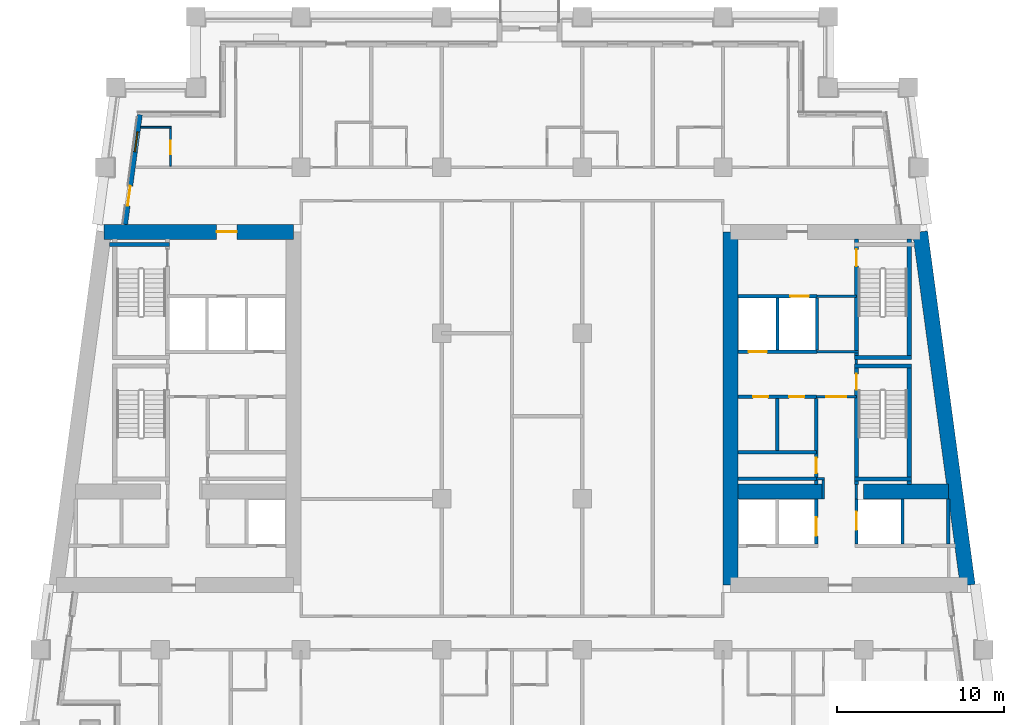
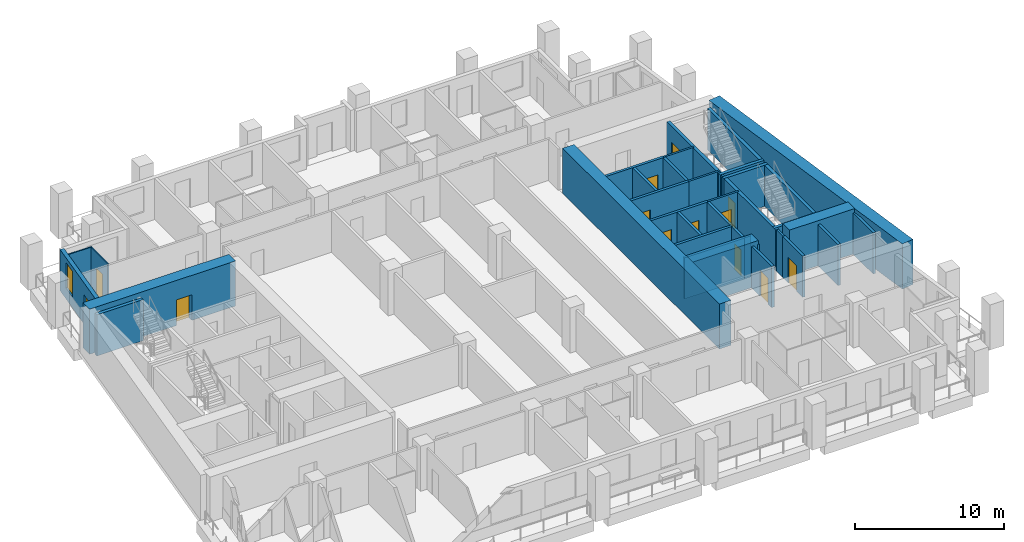
# One storey, part 5 of 13: 36 walls, 13 doors, 1 window, 14 openings.
"""IFC4 building model written with IfcOpenShell, lengths in metres."""

from ifc_helpers import new_model, si_unit, direction, frame, frame_2d, origin, place, context, subcontext, project, spatial, rectangle, extrude, material, layer, layer_set, type_object, element, fill, save


model = new_model("IFC4")

# Units and contexts
model_context = context("Model", 3, precision=1e-05, world=origin(), true_north=direction((0.0, 1.0)))
body_context = subcontext(model_context, "Body", "Model", "MODEL_VIEW")
ifc_project = project(units=[si_unit("LENGTHUNIT", "METRE"), si_unit("AREAUNIT", "SQUARE_METRE"), si_unit("VOLUMEUNIT", "CUBIC_METRE"), si_unit("PLANEANGLEUNIT", "RADIAN"), si_unit("MASSUNIT", "GRAM", prefix="KILO")], contexts=[model_context])

# Site, building, storey
site_placement = place(None, origin())
site = spatial("IfcSite", under=ifc_project, at=site_placement, CompositionType="ELEMENT")
building_placement = place(site_placement, origin())
building = spatial("IfcBuilding", under=site, at=building_placement, Name="Candeia Pilgrim Tower and Theatre", CompositionType="ELEMENT")
storey_placement = place(building_placement, frame((0.0, 0.0, 158.89990234375)))
storey = spatial("IfcBuildingStorey", under=building, at=storey_placement, Name="L37", CompositionType="ELEMENT", Elevation=158.89990234375)

# Wall, opening, door
ifc_material_1 = material(Name="Concrete C60/75", Category="concrete")
ifc_layer_1 = layer(ifc_material_1, 0.89990234375)
ifc_layer_set_1 = layer_set([ifc_layer_1], Name="Core wall 900 C60/75")
wall_type_1 = type_object("IfcWallType", Name="Core wall 900 C60/75", PredefinedType="SHEAR", material=ifc_layer_set_1)
wall_1_placement = place(storey_placement, frame((89.024169921875, 131.949951171875, 0.0), z_axis=(0.0, 0.0, 1.0), x_axis=(1.0, 0.0, 0.0)))
wall_1 = element("IfcWall", 1, at=wall_1_placement, inside=storey, type_object=wall_type_1, Name="Core wall W1", PredefinedType="SHEAR", context=body_context, shape_type="SweptSolid", body=[
    extrude(rectangle(XDim=11.325927734375, YDim=0.89990234375, at=frame_2d((5.6630859375, 0.0))), origin(), (0.0, 0.0, 1.0), 3.7001953125),
])
opening_1_placement = place(wall_1_placement, frame((6.7392578125, 0.0, 0.0)))
opening_1 = element("IfcOpeningElement", 2, at=opening_1_placement, cuts=wall_1, Name="Opening L37-D059", PredefinedType="OPENING", context=body_context, shape_type="SweptSolid", body=[
    extrude(rectangle(XDim=1.199951171875, YDim=2.10009765625, at=frame_2d((0.60009765625, 1.050048828125))), frame((0.0, 0.4599609375, 0.0), z_axis=(0.0, -1.0, 0.0), x_axis=(1.0, 0.0, 0.0)), (0.0, 0.0, 1.0), 0.919921875),
])
ifc_material_2 = material(Name="Steel fire door set", Category="steel")
door_type_1 = type_object("IfcDoorType", Name="D-1200-FD60", OperationType="NOTDEFINED", PredefinedType="DOOR", material=ifc_material_2)
door_1_placement = place(opening_1_placement, origin())
door_1 = element("IfcDoor", 3, at=door_1_placement, inside=storey, type_object=door_type_1, Name="Door L37-D059", OperationType="SINGLE_SWING_RIGHT", OverallHeight=2.10009765625, OverallWidth=1.199951171875, PredefinedType="DOOR", context=body_context, shape_type="SweptSolid", body=[
    extrude(rectangle(XDim=1.199951171875, YDim=2.10009765625, at=frame_2d((0.60009765625, 1.050048828125))), frame((0.0, 0.02490234375, 0.0), z_axis=(0.0, -1.0, 0.0), x_axis=(1.0, 0.0, 0.0)), (0.0, 0.0, 1.0), 0.050048828125),
])
fill(opening_1, door_1)

# Walls
wall_2_placement = place(storey_placement, frame((137.775634765625, 131.949951171875, 0.0), z_axis=(0.0, 0.0, 1.0), x_axis=(0.133421759112, -0.991059349482, 0.0)))
element("IfcWall", 4, at=wall_2_placement, inside=storey, type_object=wall_type_1, Name="Core wall E2", PredefinedType="SHEAR", context=body_context, shape_type="SweptSolid", body=[
    extrude(rectangle(XDim=21.290283203125, YDim=0.89990234375, at=frame_2d((10.64501953125, 0.0))), origin(), (0.0, 0.0, 1.0), 3.7001953125),
])
wall_3_placement = place(storey_placement, frame((126.449951171875, 110.85009765625, 0.0), z_axis=(0.0, 0.0, 1.0), x_axis=(0.0, 1.0, 0.0)))
element("IfcWall", 5, at=wall_3_placement, inside=storey, type_object=wall_type_1, Name="Core wall E4", PredefinedType="SHEAR", context=body_context, shape_type="SweptSolid", body=[
    extrude(rectangle(XDim=21.099853515625, YDim=0.89990234375, at=frame_2d((10.5498046875, 0.0))), origin(), (0.0, 0.0, 1.0), 3.7001953125),
])
wall_4_placement = place(storey_placement, frame((126.89990234375, 116.449951171875, 0.0), z_axis=(0.0, 0.0, 1.0), x_axis=(1.0, 0.0, 0.0)))
element("IfcWall", 6, at=wall_4_placement, inside=storey, type_object=wall_type_1, Name="Core wall E5", PredefinedType="SHEAR", context=body_context, shape_type="SweptSolid", body=[
    extrude(rectangle(XDim=5.10009765625, YDim=0.89990234375, at=frame_2d((2.550048828125, 0.0))), origin(), (0.0, 0.0, 1.0), 3.7001953125),
])
wall_5_placement = place(storey_placement, frame((134.39990234375, 116.449951171875, 0.0), z_axis=(0.0, 0.0, 1.0), x_axis=(1.0, 0.0, 0.0)))
element("IfcWall", 7, at=wall_5_placement, inside=storey, type_object=wall_type_1, Name="Core wall E6", PredefinedType="SHEAR", context=body_context, shape_type="SweptSolid", body=[
    extrude(rectangle(XDim=5.076904296875, YDim=0.89990234375, at=frame_2d((2.53857421875, 0.0))), origin(), (0.0, 0.0, 1.0), 3.7001953125),
])

# Wall, openings, door, window
ifc_material_3 = material(Name="Ceramic block masonry", Category="masonry")
ifc_layer_2 = layer(ifc_material_3, 0.300048828125)
ifc_layer_set_2 = layer_set([ifc_layer_2], Name="EW1 glazing-line wall 300")
wall_type_2 = type_object("IfcWallType", Name="EW1 glazing-line wall 300", PredefinedType="SOLIDWALL", material=ifc_layer_set_2)
wall_6_placement = place(storey_placement, frame((91.177490234375, 138.949951171875, 0.0), z_axis=(0.0, 0.0, 1.0), x_axis=(-0.133426664613, -0.991058689065, 0.0)))
wall_6 = element("IfcWall", 8, at=wall_6_placement, inside=storey, type_object=wall_type_2, Name="External wall L37-9.0", PredefinedType="SOLIDWALL", context=body_context, shape_type="SweptSolid", body=[
    extrude(rectangle(XDim=6.609130859375, YDim=0.300048828125, at=frame_2d((3.3046875, 0.0))), origin(), (0.0, 0.0, 1.0), 3.380126953125),
])
opening_2_placement = place(wall_6_placement, frame((1.039306640625, 0.0, 0.89990234375)))
opening_2 = element("IfcOpeningElement", 9, at=opening_2_placement, cuts=wall_6, Name="Opening W-B", PredefinedType="OPENING", context=body_context, shape_type="SweptSolid", body=[
    extrude(rectangle(XDim=1.199951171875, YDim=2.10009765625, at=frame_2d((0.60009765625, 1.050048828125))), frame((0.0, 0.16015625, 0.0), z_axis=(0.0, -1.0, 0.0), x_axis=(1.0, 0.0, 0.0)), (0.0, 0.0, 1.0), 0.320068359375),
])
opening_3_placement = place(wall_6_placement, frame((4.293701171875, 0.0, 0.0)))
opening_3 = element("IfcOpeningElement", 10, at=opening_3_placement, cuts=wall_6, Name="Opening L37-ED361", PredefinedType="OPENING", context=body_context, shape_type="SweptSolid", body=[
    extrude(rectangle(XDim=1.199951171875, YDim=2.39990234375, at=frame_2d((0.60009765625, 1.199951171875))), frame((0.0, 0.16015625, 0.0), z_axis=(0.0, -1.0, 0.0), x_axis=(1.0, 0.0, 0.0)), (0.0, 0.0, 1.0), 0.320068359375),
])
ifc_material_4 = material(Name="Aluminium framed glazed door", Category="aluminium")
door_type_2 = type_object("IfcDoorType", Name="Loggia door 1200x2400", OperationType="DOUBLE_DOOR_SINGLE_SWING", PredefinedType="DOOR", material=ifc_material_4)
door_2_placement = place(opening_3_placement, origin())
door_2 = element("IfcDoor", 11, at=door_2_placement, inside=storey, type_object=door_type_2, Name="Loggia door L37-ED361", OperationType="DOUBLE_DOOR_SINGLE_SWING", OverallHeight=2.39990234375, OverallWidth=1.199951171875, PredefinedType="DOOR", context=body_context, shape_type="SweptSolid", body=[
    extrude(rectangle(XDim=1.199951171875, YDim=2.39990234375, at=frame_2d((0.60009765625, 1.199951171875))), frame((0.0, 0.02490234375, 0.0), z_axis=(0.0, -1.0, 0.0), x_axis=(1.0, 0.0, 0.0)), (0.0, 0.0, 1.0), 0.050048828125),
])
fill(opening_3, door_2)
ifc_material_5 = material(Name="Aluminium framed double glazing", Category="aluminium")
window_type = type_object("IfcWindowType", Name="W-B window 1200x2100", PartitioningType="SINGLE_PANEL", PredefinedType="WINDOW", material=ifc_material_5)
window_placement = place(opening_2_placement, origin())
window = element("IfcWindow", 12, at=window_placement, inside=storey, type_object=window_type, Name="Window W-B L37", OverallHeight=2.10009765625, OverallWidth=1.199951171875, PartitioningType="SINGLE_PANEL", PredefinedType="WINDOW", context=body_context, shape_type="SweptSolid", body=[
    extrude(rectangle(XDim=1.199951171875, YDim=2.10009765625, at=frame_2d((0.60009765625, 1.050048828125))), frame((0.0, 0.030029296875, 0.0), z_axis=(0.0, -1.0, 0.0), x_axis=(1.0, 0.0, 0.0)), (0.0, 0.0, 1.0), 0.06005859375),
])
fill(opening_2, window)

# Wall
ifc_material_6 = material(Name="Gypsum board partition on steel studs", Category="steel")
ifc_layer_3 = layer(ifc_material_6, 0.10009765625)
ifc_layer_set_3 = layer_set([ifc_layer_3], Name="PW-100 room partition")
wall_type_3 = type_object("IfcWallType", Name="PW-100 room partition", PredefinedType="PARTITIONING", material=ifc_layer_set_3)
wall_7_placement = place(storey_placement, frame((91.2177734375, 138.199951171875, 0.0), z_axis=(0.0, 0.0, 1.0), x_axis=(1.0, 0.0, 0.0)))
element("IfcWall", 13, at=wall_7_placement, inside=storey, type_object=wall_type_3, Name="Room partition L37-043", PredefinedType="PARTITIONING", context=body_context, shape_type="SweptSolid", body=[
    extrude(rectangle(XDim=1.832275390625, YDim=0.10009765625, at=frame_2d((0.916015625, 0.0))), origin(), (0.0, 0.0, 1.0), 3.380126953125),
])

# Wall, opening, door
wall_8_placement = place(storey_placement, frame((93.0, 135.875, 0.0), z_axis=(0.0, 0.0, 1.0), x_axis=(0.0, 1.0, 0.0)))
wall_8 = element("IfcWall", 14, at=wall_8_placement, inside=storey, type_object=wall_type_3, Name="Room partition L37-061", PredefinedType="PARTITIONING", context=body_context, shape_type="SweptSolid", body=[
    extrude(rectangle(XDim=2.27490234375, YDim=0.10009765625, at=frame_2d((1.137451171875, 0.0))), origin(), (0.0, 0.0, 1.0), 3.380126953125),
])
opening_4_placement = place(wall_8_placement, frame((0.72509765625, 0.0, 0.0)))
opening_4 = element("IfcOpeningElement", 15, at=opening_4_placement, cuts=wall_8, Name="Opening L37-D036", PredefinedType="OPENING", context=body_context, shape_type="SweptSolid", body=[
    extrude(rectangle(XDim=0.800048828125, YDim=2.10009765625, at=frame_2d((0.39990234375, 1.050048828125))), frame((0.0, 0.06005859375, 0.0), z_axis=(0.0, -1.0, 0.0), x_axis=(1.0, 0.0, 0.0)), (0.0, 0.0, 1.0), 0.1201171875),
])
ifc_material_7 = material(Name="Timber door leaf", Category="wood")
door_type_3 = type_object("IfcDoorType", Name="D-800", OperationType="NOTDEFINED", PredefinedType="DOOR", material=ifc_material_7)
door_3_placement = place(opening_4_placement, origin())
door_3 = element("IfcDoor", 16, at=door_3_placement, inside=storey, type_object=door_type_3, Name="Door L37-D036", OperationType="SINGLE_SWING_LEFT", OverallHeight=2.10009765625, OverallWidth=0.800048828125, PredefinedType="DOOR", context=body_context, shape_type="SweptSolid", body=[
    extrude(rectangle(XDim=0.800048828125, YDim=2.10009765625, at=frame_2d((0.39990234375, 1.050048828125))), frame((0.0, 0.02490234375, 0.0), z_axis=(0.0, -1.0, 0.0), x_axis=(1.0, 0.0, 0.0)), (0.0, 0.0, 1.0), 0.050048828125),
])
fill(opening_4, door_3)

# Wall
ifc_layer_4 = layer(ifc_material_6, 0.14990234375)
ifc_layer_set_4 = layer_set([ifc_layer_4], Name="PW-150 lobby wall")
wall_type_4 = type_object("IfcWallType", Name="PW-150 lobby wall", PredefinedType="PARTITIONING", material=ifc_layer_set_4)
wall_9_placement = place(storey_placement, frame((131.572998046875, 117.199951171875, 0.0), z_axis=(0.0, 0.0, 1.0), x_axis=(1.0, 0.0, 0.0)))
element("IfcWall", 17, at=wall_9_placement, inside=storey, type_object=wall_type_4, Name="Lobby wall L37-017", PredefinedType="PARTITIONING", context=body_context, shape_type="SweptSolid", body=[
    extrude(rectangle(XDim=0.501953125, YDim=0.14990234375, at=frame_2d((0.2509765625, 0.0))), origin(), (0.0, 0.0, 1.0), 3.380126953125),
])

# Wall, opening, door
wall_10_placement = place(storey_placement, frame((131.572998046875, 122.10009765625, 0.0), z_axis=(0.0, 0.0, 1.0), x_axis=(1.0, 0.0, 0.0)))
wall_10 = element("IfcWall", 18, at=wall_10_placement, inside=storey, type_object=wall_type_4, Name="Lobby wall L37-026", PredefinedType="PARTITIONING", context=body_context, shape_type="SweptSolid", body=[
    extrude(rectangle(XDim=2.39990234375, YDim=0.14990234375, at=frame_2d((1.199951171875, 0.0))), origin(), (0.0, 0.0, 1.0), 3.380126953125),
])
opening_5_placement = place(wall_10_placement, frame((0.60009765625, 0.0, 0.0)))
opening_5 = element("IfcOpeningElement", 19, at=opening_5_placement, cuts=wall_10, Name="Opening L37-D010", PredefinedType="OPENING", context=body_context, shape_type="SweptSolid", body=[
    extrude(rectangle(XDim=1.199951171875, YDim=2.10009765625, at=frame_2d((0.60009765625, 1.050048828125))), frame((0.0, 0.0849609375, 0.0), z_axis=(0.0, -1.0, 0.0), x_axis=(1.0, 0.0, 0.0)), (0.0, 0.0, 1.0), 0.169921875),
])
door_4_placement = place(opening_5_placement, origin())
door_4 = element("IfcDoor", 20, at=door_4_placement, inside=storey, type_object=door_type_1, Name="Door L37-D010", OperationType="SINGLE_SWING_RIGHT", OverallHeight=2.10009765625, OverallWidth=1.199951171875, PredefinedType="DOOR", context=body_context, shape_type="SweptSolid", body=[
    extrude(rectangle(XDim=1.199951171875, YDim=2.10009765625, at=frame_2d((0.60009765625, 1.050048828125))), frame((0.0, 0.02490234375, 0.0), z_axis=(0.0, -1.0, 0.0), x_axis=(1.0, 0.0, 0.0)), (0.0, 0.0, 1.0), 0.050048828125),
])
fill(opening_5, door_4)

# Walls
wall_11_placement = place(storey_placement, frame((131.615234375, 124.800048828125, 0.0), z_axis=(0.0, 0.0, 1.0), x_axis=(1.0, 0.0, 0.0)))
element("IfcWall", 21, at=wall_11_placement, inside=storey, type_object=wall_type_4, Name="Lobby wall L37-033", PredefinedType="PARTITIONING", context=body_context, shape_type="SweptSolid", body=[
    extrude(rectangle(XDim=2.482666015625, YDim=0.14990234375, at=frame_2d((1.2412109375, 0.0))), origin(), (0.0, 0.0, 1.0), 3.380126953125),
])
wall_12_placement = place(storey_placement, frame((131.615234375, 128.10009765625, 0.0), z_axis=(0.0, 0.0, 1.0), x_axis=(1.0, 0.0, 0.0)))
element("IfcWall", 22, at=wall_12_placement, inside=storey, type_object=wall_type_4, Name="Lobby wall L37-037", PredefinedType="PARTITIONING", context=body_context, shape_type="SweptSolid", body=[
    extrude(rectangle(XDim=2.357666015625, YDim=0.14990234375, at=frame_2d((1.1787109375, 0.0))), origin(), (0.0, 0.0, 1.0), 3.380126953125),
])
wall_13_placement = place(storey_placement, frame((132.0, 116.0, 0.0), z_axis=(0.0, 0.0, 1.0), x_axis=(0.0, 1.0, 0.0)))
element("IfcWall", 23, at=wall_13_placement, inside=storey, type_object=wall_type_4, Name="Lobby wall L37-108", PredefinedType="PARTITIONING", context=body_context, shape_type="SweptSolid", body=[
    extrude(rectangle(XDim=1.125, YDim=0.14990234375, at=frame_2d((0.5625, 0.0))), origin(), (0.0, 0.0, 1.0), 3.380126953125),
])
wall_14_placement = place(storey_placement, frame((133.972900390625, 116.0, 0.0), z_axis=(0.0, 0.0, 1.0), x_axis=(0.0, 1.0, 0.0)))
element("IfcWall", 24, at=wall_14_placement, inside=storey, type_object=wall_type_4, Name="Lobby wall L37-111", PredefinedType="PARTITIONING", context=body_context, shape_type="SweptSolid", body=[
    extrude(rectangle(XDim=0.8701171875, YDim=0.14990234375, at=frame_2d((0.43505859375, 0.0))), origin(), (0.0, 0.0, 1.0), 3.380126953125),
])
wall_15_placement = place(storey_placement, frame((133.972900390625, 124.074951171875, 0.0), z_axis=(0.0, 0.0, 1.0), x_axis=(0.0, 1.0, 0.0)))
element("IfcWall", 25, at=wall_15_placement, inside=storey, type_object=wall_type_4, Name="Lobby wall L37-112", PredefinedType="PARTITIONING", context=body_context, shape_type="SweptSolid", body=[
    extrude(rectangle(XDim=0.25, YDim=0.14990234375, at=frame_2d((0.125, 0.0))), origin(), (0.0, 0.0, 1.0), 3.380126953125),
])
ifc_material_8 = material(Name="Concrete C40/50", Category="concrete")
ifc_layer_5 = layer(ifc_material_8, 0.199951171875)
ifc_layer_set_5 = layer_set([ifc_layer_5], Name="SW-200 shaft wall")
wall_type_5 = type_object("IfcWallType", Name="SW-200 shaft wall", PredefinedType="PARTITIONING", material=ifc_layer_set_5)
for number, where, z_axis, x_axis, name in (
    (26, (126.89990234375, 117.199951171875, 0.0), (0.0, 0.0, 1.0), (1.0, 0.0, 0.0), "Shaft wall L37-015"),
    (27, (126.89990234375, 118.800048828125, 0.0), (0.0, 0.0, 1.0), (1.0, 0.0, 0.0), "Shaft wall L37-021"),
):
    element("IfcWall", number, at=place(storey_placement, frame(where, z_axis=z_axis, x_axis=x_axis)), inside=storey, type_object=wall_type_5, Name=name, PredefinedType="PARTITIONING", context=body_context, shape_type="SweptSolid", body=[
        extrude(rectangle(XDim=4.673095703125, YDim=0.199951171875, at=frame_2d((2.33642578125, 0.0))), origin(), (0.0, 0.0, 1.0), 3.380126953125),
    ])

# Wall, openings, doors
wall_16_placement = place(storey_placement, frame((126.89990234375, 122.10009765625, 0.0), z_axis=(0.0, 0.0, 1.0), x_axis=(1.0, 0.0, 0.0)))
wall_16 = element("IfcWall", 28, at=wall_16_placement, inside=storey, type_object=wall_type_5, Name="Shaft wall L37-024", PredefinedType="PARTITIONING", context=body_context, shape_type="SweptSolid", body=[
    extrude(rectangle(XDim=4.673095703125, YDim=0.199951171875, at=frame_2d((2.33642578125, 0.0))), origin(), (0.0, 0.0, 1.0), 3.380126953125),
])
opening_6_placement = place(wall_16_placement, frame((3.054931640625, 0.0, 0.0)))
opening_6 = element("IfcOpeningElement", 29, at=opening_6_placement, cuts=wall_16, Name="Opening L37-D011", PredefinedType="OPENING", context=body_context, shape_type="SweptSolid", body=[
    extrude(rectangle(XDim=0.89990234375, YDim=2.10009765625, at=frame_2d((0.449951171875, 1.050048828125))), frame((0.0, 0.10986328125, 0.0), z_axis=(0.0, -1.0, 0.0), x_axis=(1.0, 0.0, 0.0)), (0.0, 0.0, 1.0), 0.219970703125),
])
opening_7_placement = place(wall_16_placement, frame((0.902099609375, 0.0, 0.0)))
opening_7 = element("IfcOpeningElement", 30, at=opening_7_placement, cuts=wall_16, Name="Opening L37-D012", PredefinedType="OPENING", context=body_context, shape_type="SweptSolid", body=[
    extrude(rectangle(XDim=0.89990234375, YDim=2.10009765625, at=frame_2d((0.449951171875, 1.050048828125))), frame((0.0, 0.10986328125, 0.0), z_axis=(0.0, -1.0, 0.0), x_axis=(1.0, 0.0, 0.0)), (0.0, 0.0, 1.0), 0.219970703125),
])
door_type_4 = type_object("IfcDoorType", Name="D-900-FD60", OperationType="NOTDEFINED", PredefinedType="DOOR", material=ifc_material_2)
door_5_placement = place(opening_6_placement, origin())
door_5 = element("IfcDoor", 31, at=door_5_placement, inside=storey, type_object=door_type_4, Name="Door L37-D011", OperationType="SINGLE_SWING_LEFT", OverallHeight=2.10009765625, OverallWidth=0.89990234375, PredefinedType="DOOR", context=body_context, shape_type="SweptSolid", body=[
    extrude(rectangle(XDim=0.89990234375, YDim=2.10009765625, at=frame_2d((0.449951171875, 1.050048828125))), frame((0.0, 0.02490234375, 0.0), z_axis=(0.0, -1.0, 0.0), x_axis=(1.0, 0.0, 0.0)), (0.0, 0.0, 1.0), 0.050048828125),
])
fill(opening_6, door_5)
door_6_placement = place(opening_7_placement, origin())
door_6 = element("IfcDoor", 32, at=door_6_placement, inside=storey, type_object=door_type_4, Name="Door L37-D012", OperationType="SINGLE_SWING_RIGHT", OverallHeight=2.10009765625, OverallWidth=0.89990234375, PredefinedType="DOOR", context=body_context, shape_type="SweptSolid", body=[
    extrude(rectangle(XDim=0.89990234375, YDim=2.10009765625, at=frame_2d((0.449951171875, 1.050048828125))), frame((0.0, 0.02490234375, 0.0), z_axis=(0.0, -1.0, 0.0), x_axis=(1.0, 0.0, 0.0)), (0.0, 0.0, 1.0), 0.050048828125),
])
fill(opening_7, door_6)

# Wall, opening, door
wall_17_placement = place(storey_placement, frame((126.89990234375, 124.800048828125, 0.0), z_axis=(0.0, 0.0, 1.0), x_axis=(1.0, 0.0, 0.0)))
wall_17 = element("IfcWall", 33, at=wall_17_placement, inside=storey, type_object=wall_type_5, Name="Shaft wall L37-032", PredefinedType="PARTITIONING", context=body_context, shape_type="SweptSolid", body=[
    extrude(rectangle(XDim=4.71533203125, YDim=0.199951171875, at=frame_2d((2.357666015625, 0.0))), origin(), (0.0, 0.0, 1.0), 3.380126953125),
])
opening_8_placement = place(wall_17_placement, frame((0.62890625, 0.0, 0.0)))
opening_8 = element("IfcOpeningElement", 34, at=opening_8_placement, cuts=wall_17, Name="Opening L37-LD05", PredefinedType="OPENING", context=body_context, shape_type="SweptSolid", body=[
    extrude(rectangle(XDim=1.10009765625, YDim=2.10009765625, at=frame_2d((0.550048828125, 1.050048828125))), frame((0.0, 0.10986328125, 0.0), z_axis=(0.0, -1.0, 0.0), x_axis=(1.0, 0.0, 0.0)), (0.0, 0.0, 1.0), 0.219970703125),
])
ifc_material_9 = material(Name="Glazed aluminium landing door", Category="aluminium")
door_type_5 = type_object("IfcDoorType", Name="LD-1100-EI120", OperationType="SLIDING_TO_LEFT", PredefinedType="DOOR", material=ifc_material_9)
door_7_placement = place(opening_8_placement, origin())
door_7 = element("IfcDoor", 35, at=door_7_placement, inside=storey, type_object=door_type_5, Name="Landing door 05 L37", OperationType="SLIDING_TO_LEFT", OverallHeight=2.10009765625, OverallWidth=1.10009765625, PredefinedType="DOOR", context=body_context, shape_type="SweptSolid", body=[
    extrude(rectangle(XDim=1.10009765625, YDim=2.10009765625, at=frame_2d((0.550048828125, 1.050048828125))), frame((0.0, 0.02490234375, 0.0), z_axis=(0.0, -1.0, 0.0), x_axis=(1.0, 0.0, 0.0)), (0.0, 0.0, 1.0), 0.050048828125),
])
fill(opening_8, door_7)

wall_18_placement = place(storey_placement, frame((126.89990234375, 128.10009765625, 0.0), z_axis=(0.0, 0.0, 1.0), x_axis=(1.0, 0.0, 0.0)))
wall_18 = element("IfcWall", 36, at=wall_18_placement, inside=storey, type_object=wall_type_5, Name="Shaft wall L37-036", PredefinedType="PARTITIONING", context=body_context, shape_type="SweptSolid", body=[
    extrude(rectangle(XDim=4.71533203125, YDim=0.199951171875, at=frame_2d((2.357666015625, 0.0))), origin(), (0.0, 0.0, 1.0), 3.380126953125),
])
opening_9_placement = place(wall_18_placement, frame((3.1259765625, 0.0, 0.0)))
opening_9 = element("IfcOpeningElement", 37, at=opening_9_placement, cuts=wall_18, Name="Opening L37-LD04", PredefinedType="OPENING", context=body_context, shape_type="SweptSolid", body=[
    extrude(rectangle(XDim=1.10009765625, YDim=2.10009765625, at=frame_2d((0.550048828125, 1.050048828125))), frame((0.0, 0.10986328125, 0.0), z_axis=(0.0, -1.0, 0.0), x_axis=(1.0, 0.0, 0.0)), (0.0, 0.0, 1.0), 0.219970703125),
])
door_8_placement = place(opening_9_placement, origin())
door_8 = element("IfcDoor", 38, at=door_8_placement, inside=storey, type_object=door_type_5, Name="Landing door 04 L37", OperationType="SLIDING_TO_LEFT", OverallHeight=2.10009765625, OverallWidth=1.10009765625, PredefinedType="DOOR", context=body_context, shape_type="SweptSolid", body=[
    extrude(rectangle(XDim=1.10009765625, YDim=2.10009765625, at=frame_2d((0.550048828125, 1.050048828125))), frame((0.0, 0.02490234375, 0.0), z_axis=(0.0, -1.0, 0.0), x_axis=(1.0, 0.0, 0.0)), (0.0, 0.0, 1.0), 0.050048828125),
])
fill(opening_9, door_8)

# Walls
for number, where, z_axis, x_axis, name in (
    (39, (129.236572265625, 118.89990234375, 0.0), (0.0, 0.0, 1.0), (0.0, 1.0, 0.0), "Shaft wall L37-100"),
    (40, (129.2578125, 124.89990234375, 0.0), (0.0, 0.0, 1.0), (0.0, 1.0, 0.0), "Shaft wall L37-101"),
):
    element("IfcWall", number, at=place(storey_placement, frame(where, z_axis=z_axis, x_axis=x_axis)), inside=storey, type_object=wall_type_5, Name=name, PredefinedType="PARTITIONING", context=body_context, shape_type="SweptSolid", body=[
        extrude(rectangle(XDim=3.10009765625, YDim=0.199951171875, at=frame_2d((1.550048828125, 0.0))), origin(), (0.0, 0.0, 1.0), 3.380126953125),
    ])

# Wall, opening, door
wall_19_placement = place(storey_placement, frame((131.572998046875, 113.300048828125, 0.0), z_axis=(0.0, 0.0, 1.0), x_axis=(0.0, 1.0, 0.0)))
wall_19 = element("IfcWall", 41, at=wall_19_placement, inside=storey, type_object=wall_type_5, Name="Shaft wall L37-104", PredefinedType="PARTITIONING", context=body_context, shape_type="SweptSolid", body=[
    extrude(rectangle(XDim=2.699951171875, YDim=0.199951171875, at=frame_2d((1.35009765625, 0.0))), origin(), (0.0, 0.0, 1.0), 3.380126953125),
])
opening_10_placement = place(wall_19_placement, frame((0.5, 0.0, 0.0)))
opening_10 = element("IfcOpeningElement", 42, at=opening_10_placement, cuts=wall_19, Name="Opening L37-LD07", PredefinedType="OPENING", context=body_context, shape_type="SweptSolid", body=[
    extrude(rectangle(XDim=1.10009765625, YDim=2.10009765625, at=frame_2d((0.550048828125, 1.050048828125))), frame((0.0, 0.10986328125, 0.0), z_axis=(0.0, -1.0, 0.0), x_axis=(1.0, 0.0, 0.0)), (0.0, 0.0, 1.0), 0.219970703125),
])
door_9_placement = place(opening_10_placement, origin())
door_9 = element("IfcDoor", 43, at=door_9_placement, inside=storey, type_object=door_type_5, Name="Landing door 07 L37", OperationType="SLIDING_TO_LEFT", OverallHeight=2.10009765625, OverallWidth=1.10009765625, PredefinedType="DOOR", context=body_context, shape_type="SweptSolid", body=[
    extrude(rectangle(XDim=1.10009765625, YDim=2.10009765625, at=frame_2d((0.550048828125, 1.050048828125))), frame((0.0, 0.02490234375, 0.0), z_axis=(0.0, -1.0, 0.0), x_axis=(1.0, 0.0, 0.0)), (0.0, 0.0, 1.0), 0.050048828125),
])
fill(opening_10, door_9)

wall_20_placement = place(storey_placement, frame((131.572998046875, 116.8701171875, 0.0), z_axis=(0.0, 0.0, 1.0), x_axis=(0.0, 1.0, 0.0)))
wall_20 = element("IfcWall", 44, at=wall_20_placement, inside=storey, type_object=wall_type_5, Name="Shaft wall L37-105", PredefinedType="PARTITIONING", context=body_context, shape_type="SweptSolid", body=[
    extrude(rectangle(XDim=5.1298828125, YDim=0.199951171875, at=frame_2d((2.56494140625, 0.0))), origin(), (0.0, 0.0, 1.0), 3.380126953125),
])
opening_11_placement = place(wall_20_placement, frame((0.679931640625, 0.0, 0.0)))
opening_11 = element("IfcOpeningElement", 45, at=opening_11_placement, cuts=wall_20, Name="Opening L37-D015", PredefinedType="OPENING", context=body_context, shape_type="SweptSolid", body=[
    extrude(rectangle(XDim=0.89990234375, YDim=2.10009765625, at=frame_2d((0.449951171875, 1.050048828125))), frame((0.0, 0.10986328125, 0.0), z_axis=(0.0, -1.0, 0.0), x_axis=(1.0, 0.0, 0.0)), (0.0, 0.0, 1.0), 0.219970703125),
])
door_10_placement = place(opening_11_placement, origin())
door_10 = element("IfcDoor", 46, at=door_10_placement, inside=storey, type_object=door_type_4, Name="Door L37-D015", OperationType="SINGLE_SWING_LEFT", OverallHeight=2.10009765625, OverallWidth=0.89990234375, PredefinedType="DOOR", context=body_context, shape_type="SweptSolid", body=[
    extrude(rectangle(XDim=0.89990234375, YDim=2.10009765625, at=frame_2d((0.449951171875, 1.050048828125))), frame((0.0, 0.02490234375, 0.0), z_axis=(0.0, -1.0, 0.0), x_axis=(1.0, 0.0, 0.0)), (0.0, 0.0, 1.0), 0.050048828125),
])
fill(opening_11, door_10)

# Wall
wall_21_placement = place(storey_placement, frame((131.615234375, 124.89990234375, 0.0), z_axis=(0.0, 0.0, 1.0), x_axis=(0.0, 1.0, 0.0)))
element("IfcWall", 47, at=wall_21_placement, inside=storey, type_object=wall_type_5, Name="Shaft wall L37-106", PredefinedType="PARTITIONING", context=body_context, shape_type="SweptSolid", body=[
    extrude(rectangle(XDim=3.10009765625, YDim=0.199951171875, at=frame_2d((1.550048828125, 0.0))), origin(), (0.0, 0.0, 1.0), 3.380126953125),
])

# Wall, opening, door
wall_22_placement = place(storey_placement, frame((133.972900390625, 113.300048828125, 0.0), z_axis=(0.0, 0.0, 1.0), x_axis=(0.0, 1.0, 0.0)))
wall_22 = element("IfcWall", 48, at=wall_22_placement, inside=storey, type_object=wall_type_5, Name="Shaft wall L37-110", PredefinedType="PARTITIONING", context=body_context, shape_type="SweptSolid", body=[
    extrude(rectangle(XDim=2.699951171875, YDim=0.199951171875, at=frame_2d((1.35009765625, 0.0))), origin(), (0.0, 0.0, 1.0), 3.380126953125),
])
opening_12_placement = place(wall_22_placement, frame((0.85009765625, 0.0, 0.0)))
opening_12 = element("IfcOpeningElement", 49, at=opening_12_placement, cuts=wall_22, Name="Opening L37-LD06", PredefinedType="OPENING", context=body_context, shape_type="SweptSolid", body=[
    extrude(rectangle(XDim=1.10009765625, YDim=2.10009765625, at=frame_2d((0.550048828125, 1.050048828125))), frame((0.0, 0.10986328125, 0.0), z_axis=(0.0, -1.0, 0.0), x_axis=(1.0, 0.0, 0.0)), (0.0, 0.0, 1.0), 0.219970703125),
])
door_11_placement = place(opening_12_placement, origin())
door_11 = element("IfcDoor", 50, at=door_11_placement, inside=storey, type_object=door_type_5, Name="Landing door 06 L37", OperationType="SLIDING_TO_LEFT", OverallHeight=2.10009765625, OverallWidth=1.10009765625, PredefinedType="DOOR", context=body_context, shape_type="SweptSolid", body=[
    extrude(rectangle(XDim=1.10009765625, YDim=2.10009765625, at=frame_2d((0.550048828125, 1.050048828125))), frame((0.0, 0.02490234375, 0.0), z_axis=(0.0, -1.0, 0.0), x_axis=(1.0, 0.0, 0.0)), (0.0, 0.0, 1.0), 0.050048828125),
])
fill(opening_12, door_11)

# Walls
for number, where, z_axis, x_axis, name in (
    (51, (136.722412109375, 113.300048828125, 0.0), (0.0, 0.0, 1.0), (0.0, 1.0, 0.0), "Shaft wall L37-116"),
    (52, (139.44970703125, 113.300048828125, 0.0), (0.0, 0.0, 1.0), (0.0, 1.0, 0.0), "Shaft wall L37-120"),
):
    element("IfcWall", number, at=place(storey_placement, frame(where, z_axis=z_axis, x_axis=x_axis)), inside=storey, type_object=wall_type_5, Name=name, PredefinedType="PARTITIONING", context=body_context, shape_type="SweptSolid", body=[
        extrude(rectangle(XDim=2.699951171875, YDim=0.199951171875, at=frame_2d((1.35009765625, 0.0))), origin(), (0.0, 0.0, 1.0), 3.380126953125),
    ])
ifc_layer_6 = layer(ifc_material_8, 0.25)
ifc_layer_set_6 = layer_set([ifc_layer_6], Name="SW-250 stair wall")
wall_type_6 = type_object("IfcWallType", Name="SW-250 stair wall", PredefinedType="PARTITIONING", material=ifc_layer_set_6)
for number, where, z_axis, x_axis, name in (
    (53, (133.847900390625, 117.199951171875, 0.0), (0.0, 0.0, 1.0), (1.0, 0.0, 0.0), "Stair wall L37-019"),
    (54, (133.847900390625, 123.949951171875, 0.0), (0.0, 0.0, 1.0), (1.0, 0.0, 0.0), "Stair wall L37-028"),
    (55, (133.847900390625, 124.449951171875, 0.0), (0.0, 0.0, 1.0), (1.0, 0.0, 0.0), "Stair wall L37-030"),
):
    element("IfcWall", number, at=place(storey_placement, frame(where, z_axis=z_axis, x_axis=x_axis)), inside=storey, type_object=wall_type_6, Name=name, PredefinedType="PARTITIONING", context=body_context, shape_type="SweptSolid", body=[
        extrude(rectangle(XDim=3.400146484375, YDim=0.25, at=frame_2d((1.7001953125, 0.0))), origin(), (0.0, 0.0, 1.0), 3.380126953125),
    ])
wall_23_placement = place(storey_placement, frame((89.347412109375, 131.199951171875, 0.0), z_axis=(0.0, 0.0, 1.0), x_axis=(1.0, 0.0, 0.0)))
element("IfcWall", 56, at=wall_23_placement, inside=storey, type_object=wall_type_6, Name="Stair wall L37-038", PredefinedType="PARTITIONING", context=body_context, shape_type="SweptSolid", body=[
    extrude(rectangle(XDim=3.6044921875, YDim=0.25, at=frame_2d((1.80224609375, 0.0))), origin(), (0.0, 0.0, 1.0), 3.380126953125),
])

# Wall, opening, door
wall_24_placement = place(storey_placement, frame((133.972900390625, 116.8701171875, 0.0), z_axis=(0.0, 0.0, 1.0), x_axis=(0.0, 1.0, 0.0)))
wall_24 = element("IfcWall", 57, at=wall_24_placement, inside=storey, type_object=wall_type_6, Name="Stair wall L37-113", PredefinedType="PARTITIONING", context=body_context, shape_type="SweptSolid", body=[
    extrude(rectangle(XDim=6.954833984375, YDim=0.25, at=frame_2d((3.4775390625, 0.0))), origin(), (0.0, 0.0, 1.0), 3.380126953125),
])
opening_13_placement = place(wall_24_placement, frame((5.655029296875, 0.0, 0.0)))
opening_13 = element("IfcOpeningElement", 58, at=opening_13_placement, cuts=wall_24, Name="Opening L37-D013", PredefinedType="OPENING", context=body_context, shape_type="SweptSolid", body=[
    extrude(rectangle(XDim=0.949951171875, YDim=2.10009765625, at=frame_2d((0.47509765625, 1.050048828125))), frame((0.0, 0.135009765625, 0.0), z_axis=(0.0, -1.0, 0.0), x_axis=(1.0, 0.0, 0.0)), (0.0, 0.0, 1.0), 0.27001953125),
])
door_type_6 = type_object("IfcDoorType", Name="D-950-FD60", OperationType="NOTDEFINED", PredefinedType="DOOR", material=ifc_material_2)
door_12_placement = place(opening_13_placement, origin())
door_12 = element("IfcDoor", 59, at=door_12_placement, inside=storey, type_object=door_type_6, Name="Door L37-D013", OperationType="SINGLE_SWING_LEFT", OverallHeight=2.10009765625, OverallWidth=0.949951171875, PredefinedType="DOOR", context=body_context, shape_type="SweptSolid", body=[
    extrude(rectangle(XDim=0.949951171875, YDim=2.10009765625, at=frame_2d((0.47509765625, 1.050048828125))), frame((0.0, 0.02490234375, 0.0), z_axis=(0.0, -1.0, 0.0), x_axis=(1.0, 0.0, 0.0)), (0.0, 0.0, 1.0), 0.050048828125),
])
fill(opening_13, door_12)

wall_25_placement = place(storey_placement, frame((133.972900390625, 124.574951171875, 0.0), z_axis=(0.0, 0.0, 1.0), x_axis=(0.0, 1.0, 0.0)))
wall_25 = element("IfcWall", 60, at=wall_25_placement, inside=storey, type_object=wall_type_6, Name="Stair wall L37-114", PredefinedType="PARTITIONING", context=body_context, shape_type="SweptSolid", body=[
    extrude(rectangle(XDim=6.955078125, YDim=0.25, at=frame_2d((3.4775390625, 0.0))), origin(), (0.0, 0.0, 1.0), 3.380126953125),
])
opening_14_placement = place(wall_25_placement, frame((5.324951171875, 0.0, 0.0)))
opening_14 = element("IfcOpeningElement", 61, at=opening_14_placement, cuts=wall_25, Name="Opening L37-D014", PredefinedType="OPENING", context=body_context, shape_type="SweptSolid", body=[
    extrude(rectangle(XDim=1.0, YDim=2.10009765625, at=frame_2d((0.5, 1.050048828125))), frame((0.0, 0.135009765625, 0.0), z_axis=(0.0, -1.0, 0.0), x_axis=(1.0, 0.0, 0.0)), (0.0, 0.0, 1.0), 0.27001953125),
])
door_type_7 = type_object("IfcDoorType", Name="D-1000-FD60", OperationType="NOTDEFINED", PredefinedType="DOOR", material=ifc_material_2)
door_13_placement = place(opening_14_placement, origin())
door_13 = element("IfcDoor", 62, at=door_13_placement, inside=storey, type_object=door_type_7, Name="Door L37-D014", OperationType="SINGLE_SWING_RIGHT", OverallHeight=2.10009765625, OverallWidth=1.0, PredefinedType="DOOR", context=body_context, shape_type="SweptSolid", body=[
    extrude(rectangle(XDim=1.0, YDim=2.10009765625, at=frame_2d((0.5, 1.050048828125))), frame((0.0, 0.02490234375, 0.0), z_axis=(0.0, -1.0, 0.0), x_axis=(1.0, 0.0, 0.0)), (0.0, 0.0, 1.0), 0.050048828125),
])
fill(opening_14, door_13)

# Walls
wall_26_placement = place(storey_placement, frame((137.123046875, 116.8701171875, 0.0), z_axis=(0.0, 0.0, 1.0), x_axis=(0.0, 1.0, 0.0)))
element("IfcWall", 63, at=wall_26_placement, inside=storey, type_object=wall_type_6, Name="Stair wall L37-117", PredefinedType="PARTITIONING", context=body_context, shape_type="SweptSolid", body=[
    extrude(rectangle(XDim=6.954833984375, YDim=0.25, at=frame_2d((3.4775390625, 0.0))), origin(), (0.0, 0.0, 1.0), 3.380126953125),
])
wall_27_placement = place(storey_placement, frame((137.123046875, 124.574951171875, 0.0), z_axis=(0.0, 0.0, 1.0), x_axis=(0.0, 1.0, 0.0)))
element("IfcWall", 64, at=wall_27_placement, inside=storey, type_object=wall_type_6, Name="Stair wall L37-118", PredefinedType="PARTITIONING", context=body_context, shape_type="SweptSolid", body=[
    extrude(rectangle(XDim=6.955078125, YDim=0.25, at=frame_2d((3.4775390625, 0.0))), origin(), (0.0, 0.0, 1.0), 3.380126953125),
])

save(model, "model.ifc")
